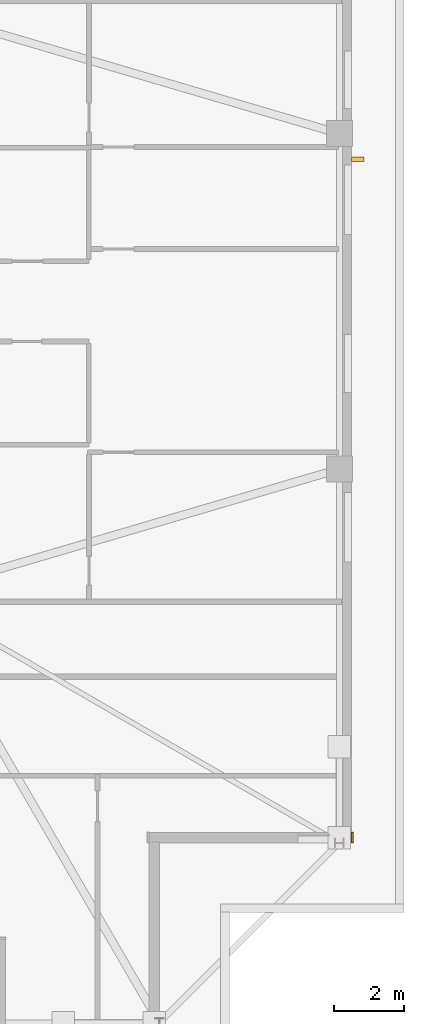
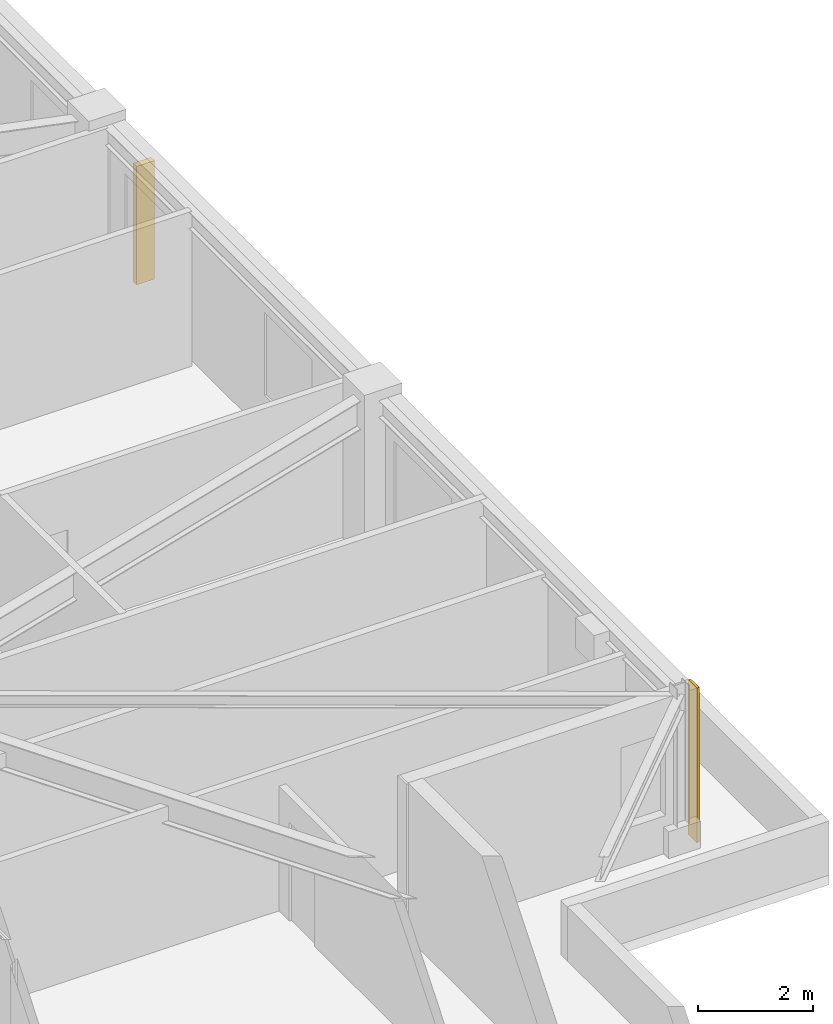
# One storey, part 14 of 15: 1 covering, 1 shading device.
"""IFC4 building model written with IfcOpenShell, lengths in metres."""

from ifc_helpers import new_model, si_unit, direction, frame, frame_2d, origin, origin_2d, place, context, subcontext, project, spatial, rectangle, extrude, material, layer, layer_set, type_object, element, save


model = new_model("IFC4")

# Units and contexts
model_context = context("Model", 3, precision=1e-05, world=origin(), true_north=direction((0.0, 1.0)))
body_context = subcontext(model_context, "Body", "Model", "MODEL_VIEW")
ifc_project = project(units=[si_unit("LENGTHUNIT", "METRE"), si_unit("AREAUNIT", "SQUARE_METRE"), si_unit("VOLUMEUNIT", "CUBIC_METRE"), si_unit("PLANEANGLEUNIT", "RADIAN"), si_unit("MASSUNIT", "GRAM", prefix="KILO")], contexts=[model_context])

# Site, building, storey
site_placement = place(None, origin())
site = spatial("IfcSite", under=ifc_project, at=site_placement, CompositionType="ELEMENT")
building_placement = place(site_placement, origin())
building = spatial("IfcBuilding", under=site, at=building_placement, Name="Cairnveth Concourse Tower", CompositionType="ELEMENT")
storey_placement = place(building_placement, frame((0.0, 0.0, 280.5)))
storey = spatial("IfcBuildingStorey", under=building, at=storey_placement, Name="L77", CompositionType="ELEMENT", Elevation=280.5)

# Covering
ifc_material_1 = material(Name="Dressed Melbourne Bluestone Cladding", Category="masonry")
ifc_layer = layer(ifc_material_1, 0.050048828125)
ifc_layer_set = layer_set([ifc_layer], Name="Dressed Melbourne Bluestone Cladding")
covering_type = type_object("IfcCoveringType", Name="DRESSED BLUESTONE PLINTH CLADDING 50", PredefinedType="CLADDING", material=ifc_layer_set)
covering_placement = place(storey_placement, frame((73.02001953125, 23.800048828125, 0.0), z_axis=(0.0, 0.0, 1.0), x_axis=(0.0, -1.0, 0.0)))
element("IfcCovering", 1, at=covering_placement, inside=storey, type_object=covering_type, Name="Melbourne Bluestone Corner Quoin L77-1173", PredefinedType="CLADDING", context=body_context, shape_type="SweptSolid", body=[
    extrude(rectangle(XDim=0.300048828125, YDim=0.050048828125, at=frame_2d((0.14990234375, 0.0))), origin(), (0.0, 0.0, 1.0), 3.2900390625),
])

# Shading device
ifc_material_2 = material(Name="Architectural Bronze Anodised Aluminium 6063-T6", Category="aluminium")
shading_device_type = type_object("IfcShadingDeviceType", Name="GOTHIC BRONZE VERTICAL LANCET FIN", PredefinedType="USERDEFINED", material=ifc_material_2)
shading_device_placement = place(storey_placement, frame((73.175048828125, 43.0673828125, 0.030029296875), z_axis=(0.0, 0.0, 1.0), x_axis=(0.0, 1.0, 0.0)))
element("IfcShadingDevice", 2, at=shading_device_placement, inside=storey, type_object=shading_device_type, Name="Gothic Bronze Vertical Fin L77-9-3", ObjectType="VERTICAL FIN", PredefinedType="USERDEFINED", context=body_context, shape_type="SweptSolid", body=[
    extrude(rectangle(XDim=0.1201171875, YDim=0.360107421875, at=origin_2d()), origin(), (0.0, 0.0, 1.0), 2.51806640625),
])

save(model, "model.ifc")
